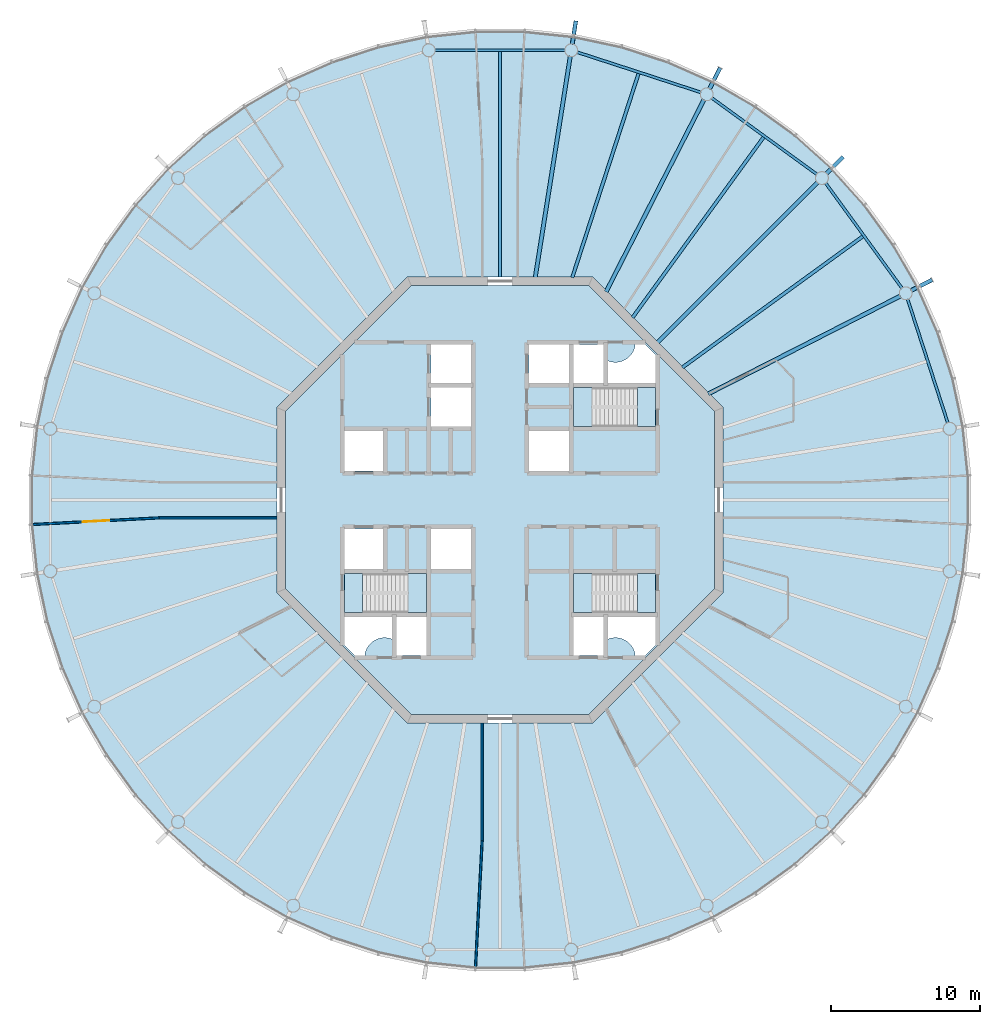
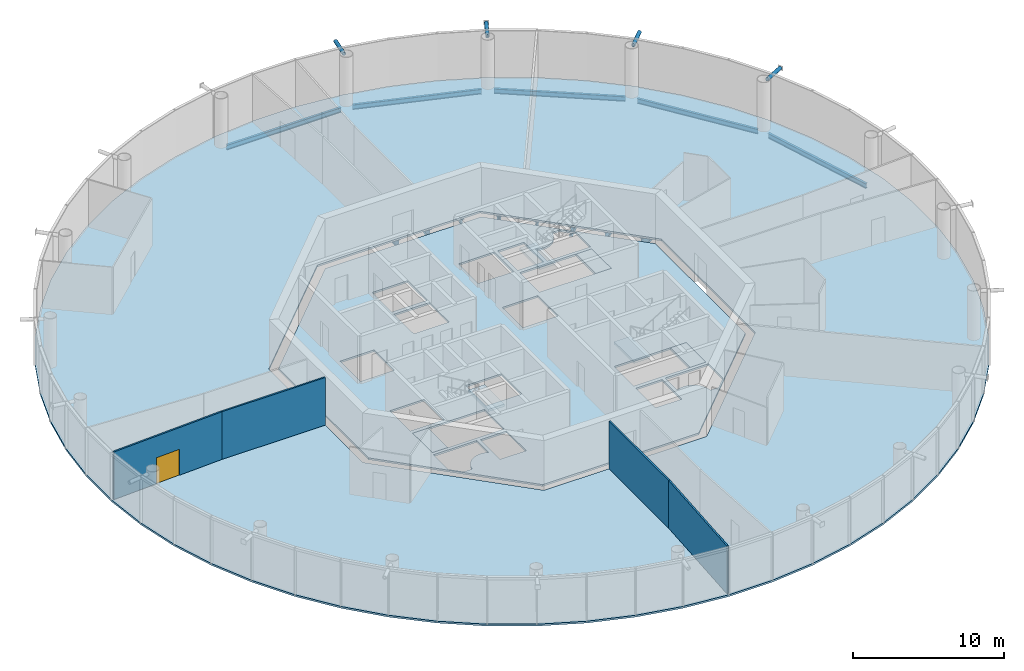
# One storey, part 2 of 18: 13 beams, 8 slabs, 4 members, 4 walls, 1 door, 1 opening, 3 elements without a shape of their own.
"""IFC4 building model written with IfcOpenShell, lengths in metres."""

from ifc_helpers import new_model, si_unit, direction, frame, frame_2d, origin, origin_2d, place, context, subcontext, project, spatial, polyline, rectangle, circle, hollow_circle, i_section, outline, extrude, material, layer, layer_set, material_profile, profile_set, type_object, element, fill, aggregate, save


model = new_model("IFC4")

# Units and contexts
model_context = context("Model", 3, precision=1e-05, world=origin(), true_north=direction((0.0, 1.0)))
body_context = subcontext(model_context, "Body", "Model", "MODEL_VIEW")
ifc_project = project(units=[si_unit("LENGTHUNIT", "METRE"), si_unit("AREAUNIT", "SQUARE_METRE"), si_unit("VOLUMEUNIT", "CUBIC_METRE"), si_unit("PLANEANGLEUNIT", "RADIAN"), si_unit("MASSUNIT", "GRAM", prefix="KILO")], contexts=[model_context])

# Site, building, storey
site_placement = place(None, origin())
site = spatial("IfcSite", under=ifc_project, at=site_placement, CompositionType="ELEMENT")
building_placement = place(site_placement, origin())
building = spatial("IfcBuilding", under=site, at=building_placement, Name="Entoto Ring Tower", CompositionType="ELEMENT")
storey_placement = place(building_placement, frame((0.0, 0.0, 352.0)))
storey = spatial("IfcBuildingStorey", under=building, at=storey_placement, Name="L81", CompositionType="ELEMENT", Elevation=352.0)

# Members
ifc_material_1 = material(Name="Steel S355", Category="steel")
ifc_material_profile_1 = material_profile(ifc_material_1, hollow_circle(Radius=0.136474609375, WallThickness=0.012451171875, at=origin_2d()), Name="CHS 273 x 12.5")
ifc_material_2 = material(Name="Concrete C60/75", Category="concrete")
ifc_material_profile_2 = material_profile(ifc_material_2, circle(Radius=0.1240234375, at=origin_2d()), Name="Concrete C60/75 infill")
ifc_profile_set_1 = profile_set([ifc_material_profile_1, ifc_material_profile_2], Name="Steel S355")
member_type = type_object("IfcMemberType", Name="Diagrid node strut 273 x 12.5", PredefinedType="STRUT", material=ifc_profile_set_1)
for number, where, z_axis, x_axis, name in (
    (1, (117.62890625, 94.07763671875, 3.71337890625), (0.891026618078, 0.453951061104, 0.0), (-0.453951061104, 0.891026618078, 0.0), "DS2 strut ring 26 02"),
    (2, (111.926513671875, 101.926513671875, 3.71337890625), (0.707106781187, 0.707106781187, 0.0), (-0.707106781187, 0.707106781187, 0.0), "DS2 strut ring 26 03"),
    (3, (104.07763671875, 107.62890625, 3.71337890625), (0.453951061104, 0.891026618078, 0.0), (-0.891026618078, 0.453951061104, 0.0), "DS2 strut ring 26 04"),
    (4, (94.850830078125, 110.626953125, 3.71337890625), (0.156482501672, 0.987680731143, 0.0), (-0.987680731143, 0.156482501672, 0.0), "DS2 strut ring 26 05"),
):
    element("IfcMember", number, at=place(storey_placement, frame(where, z_axis=z_axis, x_axis=x_axis)), inside=storey, type_object=member_type, Name=name, PredefinedType="STRUT", context=body_context, shape_type="SweptSolid", body=[
        extrude(hollow_circle(Radius=0.136474609375, WallThickness=0.012451171875, at=origin_2d()), origin(), (0.0, 0.0, 1.0), 1.59130859375),
    ])

# Beams
ifc_material_3 = material(Name="Steel S355", Category="steel")
ifc_material_profile_3 = material_profile(ifc_material_3, i_section(OverallWidth=0.179931640625, OverallDepth=0.39990234375, WebThickness=0.008544921875, FlangeThickness=0.013427734375, FilletRadius=0.02099609375, at=origin_2d()), Name="IPE 400")
ifc_profile_set_2 = profile_set([ifc_material_profile_3], Name="Steel S355")
beam_type_1 = type_object("IfcBeamType", Name="Edge beam IPE 400", PredefinedType="SPANDREL", material=ifc_profile_set_2)
beam_1_placement = place(storey_placement, frame((120.09326171875, 85.187255859375, -0.35009765625), z_axis=(-0.309030438368, 0.951052147972, 0.0), x_axis=(-0.951052147972, -0.309030438368, 0.0)))
element("IfcBeam", 5, at=beam_1_placement, inside=storey, type_object=beam_type_1, Name="Edge beam L81 01", PredefinedType="SPANDREL", context=body_context, shape_type="SweptSolid", body=[
    extrude(i_section(OverallWidth=0.179931640625, OverallDepth=0.39990234375, WebThickness=0.008544921875, FlangeThickness=0.013427734375, FilletRadius=0.02099609375, at=origin_2d()), origin(), (0.0, 0.0, 1.0), 8.732177734375),
])
for number, where, z_axis, x_axis, name in (
    (6, (117.017333984375, 94.232666015625, -0.35009765625), (-0.587794254874, 0.80901045354, 0.0), (-0.80901045354, -0.587794254874, 0.0), "Edge beam L81 02"),
    (7, (111.296875, 101.884765625, -0.35009765625), (-0.80901045354, 0.587794254874, 0.0), (-0.587794254874, -0.80901045354, 0.0), "Edge beam L81 03"),
):
    element("IfcBeam", number, at=place(storey_placement, frame(where, z_axis=z_axis, x_axis=x_axis)), inside=storey, type_object=beam_type_1, Name=name, PredefinedType="SPANDREL", context=body_context, shape_type="SweptSolid", body=[
        extrude(i_section(OverallWidth=0.179931640625, OverallDepth=0.39990234375, WebThickness=0.008544921875, FlangeThickness=0.013427734375, FilletRadius=0.02099609375, at=origin_2d()), origin(), (0.0, 0.0, 1.0), 8.73193359375),
    ])
beam_2_placement = place(storey_placement, frame((103.491943359375, 107.394775390625, -0.35009765625), z_axis=(-0.951052147972, 0.309030438368, 0.0), x_axis=(-0.309030438368, -0.951052147972, 0.0)))
element("IfcBeam", 8, at=beam_2_placement, inside=storey, type_object=beam_type_1, Name="Edge beam L81 04", PredefinedType="SPANDREL", context=body_context, shape_type="SweptSolid", body=[
    extrude(i_section(OverallWidth=0.179931640625, OverallDepth=0.39990234375, WebThickness=0.008544921875, FlangeThickness=0.013427734375, FilletRadius=0.02099609375, at=origin_2d()), origin(), (0.0, 0.0, 1.0), 8.732177734375),
])
beam_3_placement = place(storey_placement, frame((94.365966796875, 110.22314453125, -0.35009765625), z_axis=(-1.0, 0.0, 0.0), x_axis=(0.0, -1.0, 0.0)))
element("IfcBeam", 9, at=beam_3_placement, inside=storey, type_object=beam_type_1, Name="Edge beam L81 05", PredefinedType="SPANDREL", context=body_context, shape_type="SweptSolid", body=[
    extrude(i_section(OverallWidth=0.179931640625, OverallDepth=0.39990234375, WebThickness=0.008544921875, FlangeThickness=0.013427734375, FilletRadius=0.02099609375, at=origin_2d()), origin(), (0.0, 0.0, 1.0), 8.73193359375),
])
ifc_material_4 = material(Name="Steel S355", Category="steel")
ifc_material_profile_4 = material_profile(ifc_material_4, i_section(OverallWidth=0.262939453125, OverallDepth=0.7529296875, WebThickness=0.011474609375, FlangeThickness=0.01708984375, FilletRadius=0.01708984375, at=origin_2d()), Name="IPE 750 x 137")
ifc_profile_set_3 = profile_set([ifc_material_profile_4], Name="Steel S355")
beam_type_2 = type_object("IfcBeamType", Name="Primary floor beam IPE 750 x 137", PredefinedType="BEAM", material=ifc_profile_set_3)
beam_4_placement = place(storey_placement, frame((103.9970703125, 87.1318359375, -0.526611328125), z_axis=(0.89100578373, 0.453991952968, 0.0), x_axis=(-0.453991952968, 0.89100578373, 0.0)))
element("IfcBeam", 10, at=beam_4_placement, inside=storey, type_object=beam_type_2, Name="Primary L81 R02", PredefinedType="BEAM", context=body_context, shape_type="SweptSolid", body=[
    extrude(i_section(OverallWidth=0.262939453125, OverallDepth=0.7529296875, WebThickness=0.011474609375, FlangeThickness=0.01708984375, FilletRadius=0.01708984375, at=origin_2d()), origin(), (0.0, 0.0, 1.0), 14.48046875),
])
beam_5_placement = place(storey_placement, frame((100.592529296875, 90.592529296875, -0.526611328125), z_axis=(0.707106781187, 0.707106781187, 0.0), x_axis=(-0.707106781187, 0.707106781187, 0.0)))
element("IfcBeam", 11, at=beam_5_placement, inside=storey, type_object=beam_type_2, Name="Primary L81 R03", PredefinedType="BEAM", context=body_context, shape_type="SweptSolid", body=[
    extrude(i_section(OverallWidth=0.262939453125, OverallDepth=0.7529296875, WebThickness=0.011474609375, FlangeThickness=0.01708984375, FilletRadius=0.01708984375, at=origin_2d()), origin(), (0.0, 0.0, 1.0), 15.209716796875),
])
beam_6_placement = place(storey_placement, frame((97.1318359375, 93.9970703125, -0.526611328125), z_axis=(0.453991952968, 0.89100578373, 0.0), x_axis=(-0.89100578373, 0.453991952968, 0.0)))
element("IfcBeam", 12, at=beam_6_placement, inside=storey, type_object=beam_type_2, Name="Primary L81 R04", PredefinedType="BEAM", context=body_context, shape_type="SweptSolid", body=[
    extrude(i_section(OverallWidth=0.262939453125, OverallDepth=0.7529296875, WebThickness=0.011474609375, FlangeThickness=0.01708984375, FilletRadius=0.01708984375, at=origin_2d()), origin(), (0.0, 0.0, 1.0), 14.48046875),
])
beam_7_placement = place(storey_placement, frame((92.369384765625, 94.959716796875, -0.526611328125), z_axis=(0.156432586517, 0.987688638122, 0.0), x_axis=(-0.987688638122, 0.156432586517, 0.0)))
element("IfcBeam", 13, at=beam_7_placement, inside=storey, type_object=beam_type_2, Name="Primary L81 R05", PredefinedType="BEAM", context=body_context, shape_type="SweptSolid", body=[
    extrude(i_section(OverallWidth=0.262939453125, OverallDepth=0.7529296875, WebThickness=0.011474609375, FlangeThickness=0.01708984375, FilletRadius=0.01708984375, at=origin_2d()), origin(), (0.0, 0.0, 1.0), 15.04345703125),
])
ifc_material_5 = material(Name="Steel S355", Category="steel")
ifc_material_profile_5 = material_profile(ifc_material_5, i_section(OverallWidth=0.219970703125, OverallDepth=0.60009765625, WebThickness=0.011962890625, FlangeThickness=0.01904296875, FilletRadius=0.02392578125, at=origin_2d()), Name="IPE 600")
ifc_profile_set_4 = profile_set([ifc_material_profile_5], Name="Steel S355")
beam_type_3 = type_object("IfcBeamType", Name="Secondary floor beam IPE 600", PredefinedType="JOIST", material=ifc_profile_set_4)
for number, where, z_axis, x_axis, name in (
    (14, (102.25634765625, 88.90478515625, -0.449951171875), (0.809019238239, 0.587782163866, 0.0), (-0.587782163866, 0.809019238239, 0.0), "Secondary beam L81 02"),
    (15, (98.90478515625, 92.25634765625, -0.449951171875), (0.587782163866, 0.809019238239, 0.0), (-0.809019238239, 0.587782163866, 0.0), "Secondary beam L81 03"),
):
    element("IfcBeam", number, at=place(storey_placement, frame(where, z_axis=z_axis, x_axis=x_axis)), inside=storey, type_object=beam_type_3, Name=name, PredefinedType="JOIST", context=body_context, shape_type="SweptSolid", body=[
        extrude(i_section(OverallWidth=0.219970703125, OverallDepth=0.60009765625, WebThickness=0.011962890625, FlangeThickness=0.01904296875, FilletRadius=0.02392578125, at=origin_2d()), origin(), (0.0, 0.0, 1.0), 14.983642578125),
    ])
beam_8_placement = place(storey_placement, frame((94.856689453125, 94.947021484375, -0.449951171875), z_axis=(0.309014850288, 0.951057212949, 0.0), x_axis=(-0.951057212949, 0.309014850288, 0.0)))
element("IfcBeam", 16, at=beam_8_placement, inside=storey, type_object=beam_type_3, Name="Secondary beam L81 04", PredefinedType="JOIST", context=body_context, shape_type="SweptSolid", body=[
    extrude(i_section(OverallWidth=0.219970703125, OverallDepth=0.60009765625, WebThickness=0.011962890625, FlangeThickness=0.01904296875, FilletRadius=0.02392578125, at=origin_2d()), origin(), (0.0, 0.0, 1.0), 14.4169921875),
])
beam_9_placement = place(storey_placement, frame((90.0, 94.97998046875, -0.449951171875), z_axis=(0.0, 1.0, 0.0), x_axis=(-1.0, 0.0, 0.0)))
element("IfcBeam", 17, at=beam_9_placement, inside=storey, type_object=beam_type_3, Name="Secondary beam L81 05", PredefinedType="JOIST", context=body_context, shape_type="SweptSolid", body=[
    extrude(i_section(OverallWidth=0.219970703125, OverallDepth=0.60009765625, WebThickness=0.011962890625, FlangeThickness=0.01904296875, FilletRadius=0.02392578125, at=origin_2d()), origin(), (0.0, 0.0, 1.0), 15.1533203125),
])

# Slabs
ifc_material_6 = material(Name="Concrete C30/37", Category="concrete")
ifc_layer_1 = layer(ifc_material_6, 0.14990234375)
ifc_layer_set_1 = layer_set([ifc_layer_1], Name="Concrete C30/37")
slab_type_1 = type_object("IfcSlabType", Name="Composite floor slab 150 mm", PredefinedType="FLOOR", material=ifc_layer_set_1)
slab_1_placement = place(storey_placement, frame((0.0, 0.0, -0.14990234375)))
element("IfcSlab", 18, at=slab_1_placement, inside=storey, type_object=slab_type_1, Name="Floor slab L81", PredefinedType="FLOOR", context=body_context, shape_type="SweptSolid", body=[
    extrude(outline(polyline([(121.2109375, 84.943359375), (120.523193359375, 88.1787109375), (119.501220703125, 91.324462890625), (118.15576171875, 94.34619140625), (116.501953125, 97.210693359375), (114.557861328125, 99.886474609375), (112.344482421875, 102.344482421875), (109.886474609375, 104.557861328125), (107.210693359375, 106.501953125), (104.34619140625, 108.15576171875), (101.324462890625, 109.501220703125), (98.1787109375, 110.523193359375), (94.943359375, 111.2109375), (91.65380859375, 111.556640625), (88.34619140625, 111.556640625), (85.056640625, 111.2109375), (81.8212890625, 110.523193359375), (78.675537109375, 109.501220703125), (75.65380859375, 108.15576171875), (72.789306640625, 106.501953125), (70.113525390625, 104.557861328125), (67.655517578125, 102.344482421875), (65.442138671875, 99.886474609375), (63.498046875, 97.210693359375), (61.84423828125, 94.34619140625), (60.498779296875, 91.324462890625), (59.476806640625, 88.1787109375), (58.7890625, 84.943359375), (58.443359375, 81.65380859375), (58.443359375, 78.34619140625), (58.7890625, 75.056640625), (59.476806640625, 71.8212890625), (60.498779296875, 68.675537109375), (61.84423828125, 65.65380859375), (63.498046875, 62.789306640625), (65.442138671875, 60.113525390625), (67.655517578125, 57.655517578125), (70.113525390625, 55.442138671875), (72.789306640625, 53.498046875), (75.65380859375, 51.84423828125), (78.675537109375, 50.498779296875), (81.8212890625, 49.476806640625), (85.056640625, 48.7890625), (88.34619140625, 48.443359375), (91.65380859375, 48.443359375), (94.943359375, 48.7890625), (98.1787109375, 49.476806640625), (101.324462890625, 50.498779296875), (104.34619140625, 51.84423828125), (107.210693359375, 53.498046875), (109.886474609375, 55.442138671875), (112.344482421875, 57.655517578125), (114.557861328125, 60.113525390625), (116.501953125, 62.789306640625), (118.15576171875, 65.65380859375), (119.501220703125, 68.675537109375), (120.523193359375, 71.8212890625), (121.2109375, 75.056640625), (121.556640625, 78.34619140625), (121.556640625, 81.65380859375), (121.2109375, 84.943359375)]), holes=[polyline([(105.0, 73.786865234375), (105.0, 86.213134765625), (96.213134765625, 95.0), (83.786865234375, 95.0), (75.0, 86.213134765625), (75.0, 73.786865234375), (83.786865234375, 65.0), (96.213134765625, 65.0), (105.0, 73.786865234375)])]), origin(), (0.0, 0.0, 1.0), 0.14990234375),
])
ifc_material_7 = material(Name="Concrete C40/50", Category="concrete")
ifc_layer_2 = layer(ifc_material_7, 0.14990234375)
ifc_layer_set_2 = layer_set([ifc_layer_2], Name="Concrete C40/50")
slab_type_2 = type_object("IfcSlabType", Name="Core floor slab 150 mm reinforced concrete C40/50", PredefinedType="FLOOR", material=ifc_layer_set_2)
slab_2_placement = place(storey_placement, frame((0.0, 0.0, -0.14990234375)))
element("IfcSlab", 19, at=slab_2_placement, inside=storey, type_object=slab_type_2, Name="Core floor L81", PredefinedType="FLOOR", context=body_context, shape_type="SweptSolid", body=[
    extrude(outline(polyline([(104.39990234375, 74.035400390625), (104.39990234375, 85.964599609375), (95.964599609375, 94.39990234375), (84.035400390625, 94.39990234375), (75.60009765625, 85.964599609375), (75.60009765625, 74.035400390625), (84.035400390625, 65.60009765625), (95.964599609375, 65.60009765625), (104.39990234375, 74.035400390625)]), holes=[polyline([(100.449951171875, 84.949951171875), (100.449951171875, 87.550048828125), (94.949951171875, 87.550048828125), (94.949951171875, 84.949951171875), (100.449951171875, 84.949951171875)]), polyline([(85.050048828125, 72.449951171875), (85.050048828125, 75.050048828125), (79.550048828125, 75.050048828125), (79.550048828125, 72.449951171875), (85.050048828125, 72.449951171875)]), polyline([(100.449951171875, 72.449951171875), (100.449951171875, 75.050048828125), (94.949951171875, 75.050048828125), (94.949951171875, 72.449951171875), (100.449951171875, 72.449951171875)]), polyline([(94.949951171875, 90.449951171875), (94.949951171875, 87.85009765625), (96.949951171875, 87.85009765625), (96.949951171875, 90.449951171875), (94.949951171875, 90.449951171875)]), polyline([(94.949951171875, 72.14990234375), (94.949951171875, 69.550048828125), (96.949951171875, 69.550048828125), (96.949951171875, 72.14990234375), (94.949951171875, 72.14990234375)]), polyline([(83.050048828125, 72.14990234375), (83.050048828125, 69.550048828125), (85.050048828125, 69.550048828125), (85.050048828125, 72.14990234375), (83.050048828125, 72.14990234375)]), polyline([(79.550048828125, 81.949951171875), (82.14990234375, 81.949951171875), (82.14990234375, 84.64990234375), (79.550048828125, 84.64990234375), (79.550048828125, 81.949951171875)]), polyline([(79.550048828125, 75.35009765625), (82.14990234375, 75.35009765625), (82.14990234375, 78.050048828125), (79.550048828125, 78.050048828125), (79.550048828125, 75.35009765625)]), polyline([(91.949951171875, 87.85009765625), (94.64990234375, 87.85009765625), (94.64990234375, 90.449951171875), (91.949951171875, 90.449951171875), (91.949951171875, 87.85009765625)]), polyline([(91.949951171875, 81.949951171875), (94.64990234375, 81.949951171875), (94.64990234375, 84.64990234375), (91.949951171875, 84.64990234375), (91.949951171875, 81.949951171875)]), polyline([(85.35009765625, 75.35009765625), (88.050048828125, 75.35009765625), (88.050048828125, 78.050048828125), (85.35009765625, 78.050048828125), (85.35009765625, 75.35009765625)]), polyline([(85.35009765625, 84.949951171875), (88.050048828125, 84.949951171875), (88.050048828125, 87.550048828125), (85.35009765625, 87.550048828125), (85.35009765625, 84.949951171875)]), polyline([(85.35009765625, 87.85009765625), (88.050048828125, 87.85009765625), (88.050048828125, 90.449951171875), (85.35009765625, 90.449951171875), (85.35009765625, 87.85009765625)]), polyline([(97.199951171875, 89.368408203125), (97.199951171875, 87.800048828125), (100.5, 87.800048828125), (100.5, 89.723388671875), (99.723388671875, 90.5), (99.09521484375, 90.5), (99.093505859375, 90.4677734375), (99.07421875, 90.336669921875), (99.0419921875, 90.2080078125), (98.997314453125, 90.08349609375), (98.940673828125, 89.963623046875), (98.87255859375, 89.85009765625), (98.793701171875, 89.74365234375), (98.70458984375, 89.6455078125), (98.6064453125, 89.556396484375), (98.5, 89.4775390625), (98.386474609375, 89.409423828125), (98.2666015625, 89.352783203125), (98.141845703125, 89.30810546875), (98.013427734375, 89.27587890625), (97.88232421875, 89.256591796875), (97.75, 89.25), (97.61767578125, 89.256591796875), (97.486572265625, 89.27587890625), (97.358154296875, 89.30810546875), (97.2333984375, 89.352783203125), (97.199951171875, 89.368408203125)]), polyline([(80.276611328125, 69.5), (80.90478515625, 69.5), (80.906494140625, 69.5322265625), (80.92578125, 69.663330078125), (80.9580078125, 69.7919921875), (81.002685546875, 69.91650390625), (81.059326171875, 70.036376953125), (81.12744140625, 70.14990234375), (81.206298828125, 70.25634765625), (81.29541015625, 70.3544921875), (81.3935546875, 70.443603515625), (81.5, 70.5224609375), (81.613525390625, 70.590576171875), (81.7333984375, 70.647216796875), (81.858154296875, 70.69189453125), (81.986572265625, 70.72412109375), (82.11767578125, 70.743408203125), (82.25, 70.75), (82.38232421875, 70.743408203125), (82.513427734375, 70.72412109375), (82.641845703125, 70.69189453125), (82.7666015625, 70.647216796875), (82.800048828125, 70.631591796875), (82.800048828125, 72.199951171875), (79.5, 72.199951171875), (79.5, 70.276611328125), (80.276611328125, 69.5)]), polyline([(99.09521484375, 69.5), (99.723388671875, 69.5), (100.5, 70.276611328125), (100.5, 72.199951171875), (97.199951171875, 72.199951171875), (97.199951171875, 70.631591796875), (97.2333984375, 70.647216796875), (97.358154296875, 70.69189453125), (97.486572265625, 70.72412109375), (97.61767578125, 70.743408203125), (97.75, 70.75), (97.88232421875, 70.743408203125), (98.013427734375, 70.72412109375), (98.141845703125, 70.69189453125), (98.2666015625, 70.647216796875), (98.386474609375, 70.590576171875), (98.5, 70.5224609375), (98.6064453125, 70.443603515625), (98.70458984375, 70.3544921875), (98.793701171875, 70.25634765625), (98.87255859375, 70.14990234375), (98.940673828125, 70.036376953125), (98.997314453125, 69.91650390625), (99.0419921875, 69.7919921875), (99.07421875, 69.663330078125), (99.093505859375, 69.5322265625), (99.09521484375, 69.5)])]), origin(), (0.0, 0.0, 1.0), 0.14990234375),
])

# Stair, slabs
ifc_material_8 = material(Name="Concrete C40/50", Category="concrete")
stair_type = type_object("IfcStairType", Name="Exit stair 1200 mm dog-leg reinforced concrete", PredefinedType="HALF_TURN_STAIR", material=ifc_material_8)
stair_1_placement = place(storey_placement, origin())
stair_1 = element("IfcStair", 20, at=stair_1_placement, inside=storey, type_object=stair_type, Name="Exit stair 1", PredefinedType="HALF_TURN_STAIR")
ifc_material_9 = material(Name="Concrete C40/50", Category="concrete")
ifc_layer_3 = layer(ifc_material_9, 0.199951171875)
ifc_layer_set_3 = layer_set([ifc_layer_3], Name="Concrete C40/50")
slab_type_3 = type_object("IfcSlabType", Name="Stair landing 200 mm reinforced concrete", PredefinedType="LANDING", material=ifc_layer_set_3)
slab_3_placement = place(storey_placement, frame((0.0, 0.0, -0.199951171875)))
slab_3 = element("IfcSlab", 21, at=slab_3_placement, type_object=slab_type_3, Name="ST1 landing 1", PredefinedType="LANDING", context=body_context, shape_type="SweptSolid", body=[
    extrude(outline(polyline([(100.449951171875, 84.949951171875), (100.449951171875, 87.550048828125), (99.25, 87.550048828125), (99.25, 84.949951171875), (100.449951171875, 84.949951171875)])), origin(), (0.0, 0.0, 1.0), 0.199951171875),
])
slab_4_placement = place(storey_placement, frame((0.0, 0.0, 1.800048828125)))
slab_4 = element("IfcSlab", 22, at=slab_4_placement, type_object=slab_type_3, Name="ST1 landing 2", PredefinedType="LANDING", context=body_context, shape_type="SweptSolid", body=[
    extrude(outline(polyline([(94.949951171875, 84.949951171875), (96.169921875, 84.949951171875), (96.169921875, 87.550048828125), (94.949951171875, 87.550048828125), (94.949951171875, 84.949951171875)])), origin(), (0.0, 0.0, 1.0), 0.199951171875),
])
aggregate(stair_1, [slab_3, slab_4])

stair_2_placement = place(storey_placement, origin())
stair_2 = element("IfcStair", 23, at=stair_2_placement, inside=storey, type_object=stair_type, Name="Exit stair 2", PredefinedType="HALF_TURN_STAIR")
slab_5_placement = place(storey_placement, frame((0.0, 0.0, -0.199951171875)))
slab_5 = element("IfcSlab", 24, at=slab_5_placement, type_object=slab_type_3, Name="ST2 landing 1", PredefinedType="LANDING", context=body_context, shape_type="SweptSolid", body=[
    extrude(outline(polyline([(80.75, 72.449951171875), (80.75, 75.050048828125), (79.550048828125, 75.050048828125), (79.550048828125, 72.449951171875), (80.75, 72.449951171875)])), origin(), (0.0, 0.0, 1.0), 0.199951171875),
])
slab_6_placement = place(storey_placement, frame((0.0, 0.0, 1.800048828125)))
slab_6 = element("IfcSlab", 25, at=slab_6_placement, type_object=slab_type_3, Name="ST2 landing 2", PredefinedType="LANDING", context=body_context, shape_type="SweptSolid", body=[
    extrude(outline(polyline([(83.830078125, 72.449951171875), (85.050048828125, 72.449951171875), (85.050048828125, 75.050048828125), (83.830078125, 75.050048828125), (83.830078125, 72.449951171875)])), origin(), (0.0, 0.0, 1.0), 0.199951171875),
])
aggregate(stair_2, [slab_5, slab_6])

stair_3_placement = place(storey_placement, origin())
stair_3 = element("IfcStair", 26, at=stair_3_placement, inside=storey, type_object=stair_type, Name="Exit stair 3", PredefinedType="HALF_TURN_STAIR")
slab_7_placement = place(storey_placement, frame((0.0, 0.0, -0.199951171875)))
slab_7 = element("IfcSlab", 27, at=slab_7_placement, type_object=slab_type_3, Name="ST3 landing 1", PredefinedType="LANDING", context=body_context, shape_type="SweptSolid", body=[
    extrude(outline(polyline([(100.449951171875, 72.449951171875), (100.449951171875, 75.050048828125), (99.25, 75.050048828125), (99.25, 72.449951171875), (100.449951171875, 72.449951171875)])), origin(), (0.0, 0.0, 1.0), 0.199951171875),
])
slab_8_placement = place(storey_placement, frame((0.0, 0.0, 1.800048828125)))
slab_8 = element("IfcSlab", 28, at=slab_8_placement, type_object=slab_type_3, Name="ST3 landing 2", PredefinedType="LANDING", context=body_context, shape_type="SweptSolid", body=[
    extrude(outline(polyline([(94.949951171875, 72.449951171875), (96.169921875, 72.449951171875), (96.169921875, 75.050048828125), (94.949951171875, 75.050048828125), (94.949951171875, 72.449951171875)])), origin(), (0.0, 0.0, 1.0), 0.199951171875),
])
aggregate(stair_3, [slab_7, slab_8])

# Wall, opening, door
ifc_material_10 = material(Name="Fire-resisting plasterboard on steel studs", Category="steel")
ifc_layer_4 = layer(ifc_material_10, 0.125)
ifc_layer_set_4 = layer_set([ifc_layer_4], Name="Fire-resisting plasterboard on steel studs")
wall_type = type_object("IfcWallType", Name="Corridor wall 125 mm one-hour plasterboard on steel studs", PredefinedType="PARTITIONING", material=ifc_layer_set_4)
wall_1_placement = place(storey_placement, frame((58.60302734375, 78.3544921875, 0.0), z_axis=(0.0, 0.0, 1.0), x_axis=(0.998628821692, 0.05234956051, 0.0)))
wall_1 = element("IfcWall", 29, at=wall_1_placement, inside=storey, type_object=wall_type, Name="partition-L81-001", PredefinedType="PARTITIONING", context=body_context, shape_type="SweptSolid", body=[
    extrude(rectangle(XDim=8.51123046875, YDim=0.125, at=frame_2d((4.255615234375, 0.0))), origin(), (0.0, 0.0, 1.0), 3.85009765625),
])
opening_placement = place(wall_1_placement, frame((3.355712890625, 0.0, 0.0)))
opening = element("IfcOpeningElement", 30, at=opening_placement, cuts=wall_1, Name="Opening A35-D06", PredefinedType="OPENING", context=body_context, shape_type="SweptSolid", body=[
    extrude(rectangle(XDim=1.800048828125, YDim=2.10009765625, at=frame_2d((0.89990234375, 1.050048828125))), frame((0.0, 0.072509765625, 0.0), z_axis=(0.0, -1.0, 0.0), x_axis=(1.0, 0.0, 0.0)), (0.0, 0.0, 1.0), 0.14501953125),
])
ifc_material_11 = material(Name="Fire-resisting timber door set", Category="wood")
door_type = type_object("IfcDoorType", Name="Door 1800 x 2100 double leaf FD30S fire door", OperationType="DOUBLE_DOOR_SINGLE_SWING", PredefinedType="DOOR", material=ifc_material_11)
door_placement = place(opening_placement, origin())
door = element("IfcDoor", 31, at=door_placement, inside=storey, type_object=door_type, Name="Door A35-D06", OperationType="DOUBLE_DOOR_SINGLE_SWING", OverallHeight=2.10009765625, OverallWidth=1.800048828125, PredefinedType="DOOR", context=body_context, shape_type="SweptSolid", body=[
    extrude(rectangle(XDim=1.800048828125, YDim=2.10009765625, at=frame_2d((0.89990234375, 1.050048828125))), frame((0.0, 0.02490234375, 0.0), z_axis=(0.0, -1.0, 0.0), x_axis=(1.0, 0.0, 0.0)), (0.0, 0.0, 1.0), 0.050048828125),
])
fill(opening, door)

# Walls
wall_2_placement = place(storey_placement, frame((88.3544921875, 48.60302734375, 0.0), z_axis=(0.0, 0.0, 1.0), x_axis=(0.05234956051, 0.998628821692, 0.0)))
element("IfcWall", 32, at=wall_2_placement, inside=storey, type_object=wall_type, Name="partition-L81-003", PredefinedType="PARTITIONING", context=body_context, shape_type="SweptSolid", body=[
    extrude(rectangle(XDim=8.51123046875, YDim=0.125, at=frame_2d((4.255615234375, 0.0))), origin(), (0.0, 0.0, 1.0), 3.85009765625),
])
for number, where, z_axis, x_axis, name in (
    (33, (67.10595703125, 78.800048828125, 0.0), (0.0, 0.0, 1.0), (1.0, 0.0, 0.0), "partition-L81-009"),
    (34, (88.800048828125, 57.10595703125, 0.0), (0.0, 0.0, 1.0), (0.0, 1.0, 0.0), "partition-L81-011"),
):
    element("IfcWall", number, at=place(storey_placement, frame(where, z_axis=z_axis, x_axis=x_axis)), inside=storey, type_object=wall_type, Name=name, PredefinedType="PARTITIONING", context=body_context, shape_type="SweptSolid", body=[
        extrude(rectangle(XDim=7.89404296875, YDim=0.125, at=frame_2d((3.947021484375, 0.0))), origin(), (0.0, 0.0, 1.0), 3.85009765625),
    ])

save(model, "model.ifc")
